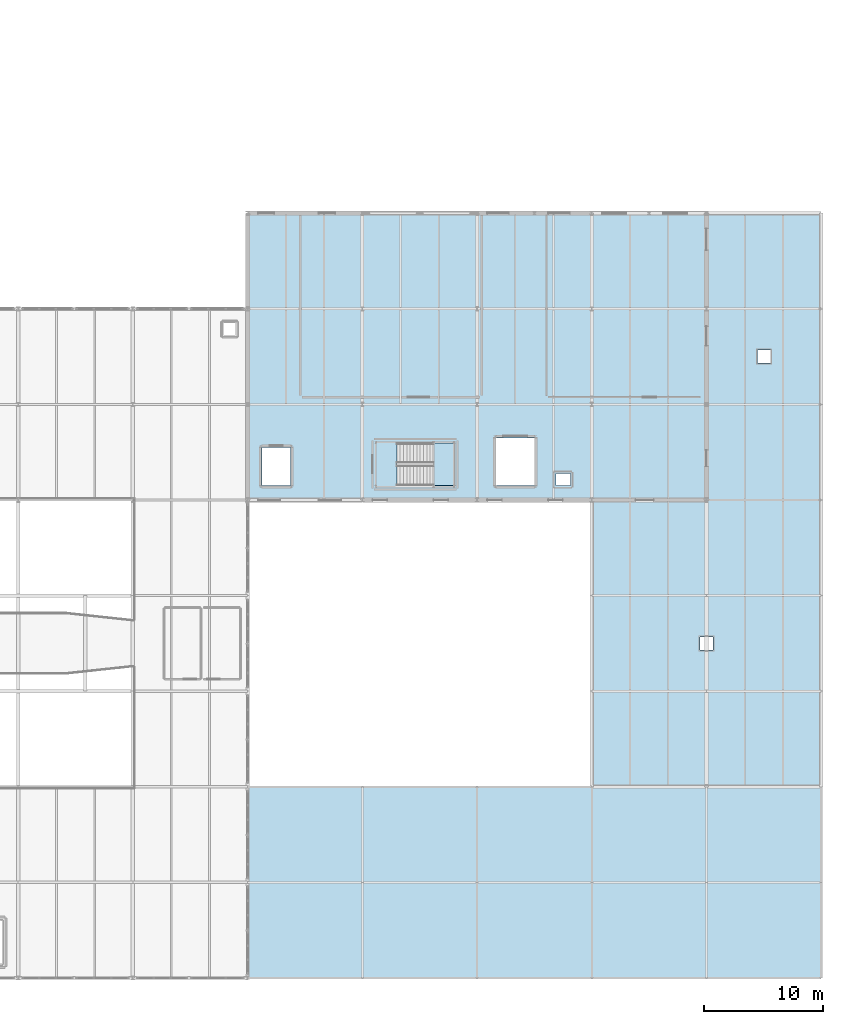
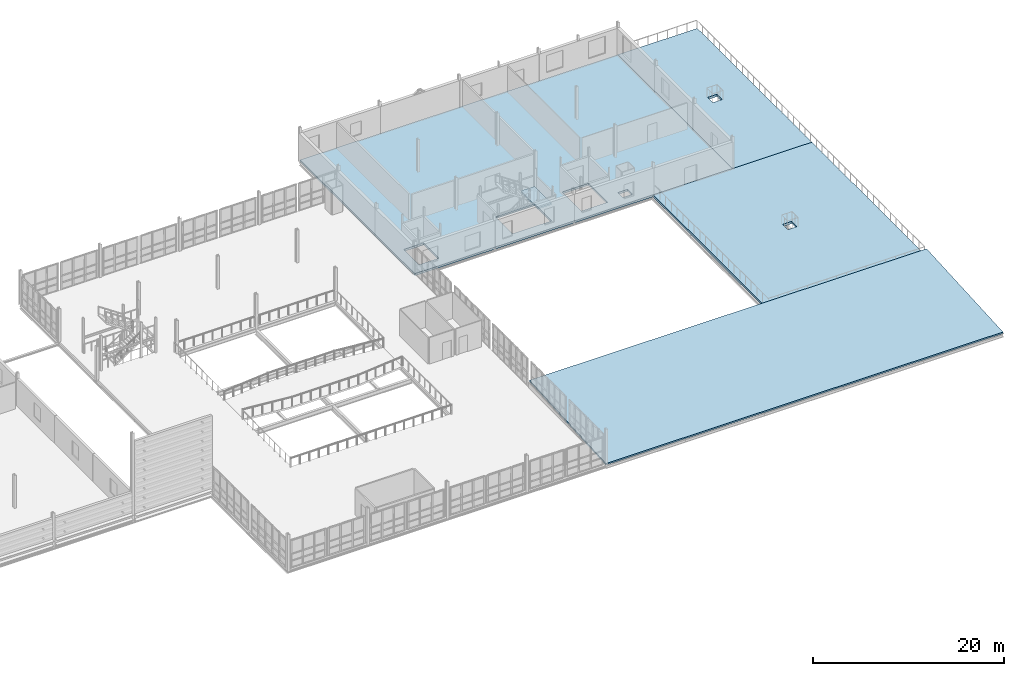
# One storey, part 54 of 73: 5 slabs, 1 element without a shape of its own.
"""IFC4 building model written with IfcOpenShell, lengths in metres."""

from ifc_helpers import new_model, si_unit, direction, frame, origin, place, context, subcontext, project, spatial, polyline, outline, extrude, material, layer, layer_set, type_object, element, aggregate, save


model = new_model("IFC4")

# Units and contexts
model_context = context("Model", 3, precision=1e-05, world=origin(), true_north=direction((0.0, 1.0)))
body_context = subcontext(model_context, "Body", "Model", "MODEL_VIEW")
ifc_project = project(units=[si_unit("LENGTHUNIT", "METRE"), si_unit("AREAUNIT", "SQUARE_METRE"), si_unit("VOLUMEUNIT", "CUBIC_METRE"), si_unit("PLANEANGLEUNIT", "RADIAN"), si_unit("MASSUNIT", "GRAM", prefix="KILO")], contexts=[model_context])

# Site, building, storey
site_placement = place(None, origin())
site = spatial("IfcSite", under=ifc_project, at=site_placement, CompositionType="ELEMENT")
building_placement = place(site_placement, origin())
building = spatial("IfcBuilding", under=site, at=building_placement, Name="Alderhovde Museum", CompositionType="ELEMENT")
storey_placement = place(building_placement, frame((0.0, 0.0, 12.89990234375)))
storey = spatial("IfcBuildingStorey", under=building, at=storey_placement, Name="L03", CompositionType="ELEMENT", Elevation=12.89990234375)

# Slab
ifc_material_1 = material(Name="Concrete C35/45", Category="concrete")
ifc_layer_1 = layer(ifc_material_1, 0.260009765625)
ifc_layer_set_1 = layer_set([ifc_layer_1], Name="Concrete C35/45")
slab_type_1 = type_object("IfcSlabType", Name="SLB-FLR-260", PredefinedType="FLOOR", material=ifc_layer_set_1)
slab_1_placement = place(storey_placement, frame((0.0, 0.0, -0.260009765625)))
element("IfcSlab", 1, at=slab_1_placement, inside=storey, type_object=slab_type_1, Name="L03 VOL5 Structural Slab", PredefinedType="FLOOR", context=body_context, shape_type="SweptSolid", body=[
    extrude(outline(polyline([(115.199951171875, 72.0), (153.60009765625, 72.0), (153.60009765625, 96.0), (115.199951171875, 96.0), (115.199951171875, 72.0)]), holes=[polyline([(127.7099609375, 73.199951171875), (132.43994140625, 73.199951171875), (132.43994140625, 76.760009765625), (127.7099609375, 76.760009765625), (127.7099609375, 73.199951171875)]), polyline([(116.39990234375, 73.199951171875), (118.800048828125, 73.199951171875), (118.800048828125, 76.39990234375), (116.39990234375, 76.39990234375), (116.39990234375, 73.199951171875)]), polyline([(136.0, 73.199951171875), (139.199951171875, 73.199951171875), (139.199951171875, 77.199951171875), (136.0, 77.199951171875), (136.0, 73.199951171875)]), polyline([(141.0, 73.199951171875), (142.199951171875, 73.199951171875), (142.199951171875, 74.199951171875), (141.0, 74.199951171875), (141.0, 73.199951171875)])]), origin(), (0.0, 0.0, 1.0), 0.260009765625),
])

# Stair, slab
ifc_material_2 = material(Name="Concrete C35/45", Category="concrete")
stair_type = type_object("IfcStairType", Name="STR-1500-4500", PredefinedType="HALF_TURN_STAIR", material=ifc_material_2)
stair_placement = place(storey_placement, origin())
stair = element("IfcStair", 2, at=stair_placement, inside=storey, type_object=stair_type, Name="L03 Escape Stair ST4", PredefinedType="HALF_TURN_STAIR")
ifc_material_3 = material(Name="Concrete C35/45", Category="concrete")
ifc_layer_2 = layer(ifc_material_3, 0.199951171875)
ifc_layer_set_2 = layer_set([ifc_layer_2], Name="Concrete C35/45")
slab_type_2 = type_object("IfcSlabType", Name="SLB-LANDING-200", PredefinedType="LANDING", material=ifc_layer_set_2)
slab_2_placement = place(storey_placement, frame((0.0, 0.0, 2.050048828125)))
slab_2 = element("IfcSlab", 3, at=slab_2_placement, type_object=slab_type_2, Name="ST4 landing 1", PredefinedType="LANDING", context=body_context, shape_type="SweptSolid", body=[
    extrude(outline(polyline([(130.760009765625, 73.199951171875), (132.43994140625, 73.199951171875), (132.43994140625, 76.760009765625), (130.760009765625, 76.760009765625), (130.760009765625, 73.199951171875)])), origin(), (0.0, 0.0, 1.0), 0.199951171875),
])
aggregate(stair, [slab_2])

# Slabs
ifc_material_4 = material(Name="Concrete C35/45", Category="concrete")
ifc_layer_3 = layer(ifc_material_4, 0.199951171875)
ifc_layer_set_3 = layer_set([ifc_layer_3], Name="Concrete C35/45")
slab_type_3 = type_object("IfcSlabType", Name="SLB-ROOF-200", PredefinedType="ROOF", material=ifc_layer_set_3)
slab_3_placement = place(storey_placement, frame((115.199951171875, 32.0, 0.0), z_axis=(0.0, -0.058660408949, 0.998277995561), x_axis=(1.0, 0.0, 0.0)))
element("IfcSlab", 4, at=slab_3_placement, inside=storey, type_object=slab_type_3, Name="Conservation South Wing Pitched Step Roof", PredefinedType="ROOF", context=body_context, shape_type="SweptSolid", body=[
    extrude(outline(polyline([(0.0, 0.0), (48.0, 0.0), (48.0, 16.02759959764882), (0.0, 16.02759959764882), (0.0, 0.0)])), origin(), (0.0, 0.0, -1.0), 0.199951171875),
])
ifc_material_5 = material(Name="Concrete C40/50", Category="concrete")
ifc_layer_4 = layer(ifc_material_5, 0.300048828125)
ifc_layer_set_4 = layer_set([ifc_layer_4], Name="Concrete C40/50")
slab_type_4 = type_object("IfcSlabType", Name="SLB-TERR-300", PredefinedType="FLOOR", material=ifc_layer_set_4)
slab_4_placement = place(storey_placement, frame((0.0, 0.0, -0.2998046875)))
element("IfcSlab", 5, at=slab_4_placement, inside=storey, type_object=slab_type_4, Name="L03 Conservation Sculpture Terrace", PredefinedType="FLOOR", context=body_context, shape_type="SweptSolid", body=[
    extrude(outline(polyline([(144.0, 48.0), (163.199951171875, 48.0), (163.199951171875, 72.0), (144.0, 72.0), (144.0, 48.0)]), holes=[polyline([(153.050048828125, 59.449951171875), (154.14990234375, 59.449951171875), (154.14990234375, 60.550048828125), (153.050048828125, 60.550048828125), (153.050048828125, 59.449951171875)])]), origin(), (0.0, 0.0, 1.0), 0.2998046875),
])
slab_5_placement = place(storey_placement, frame((0.0, 0.0, -0.2998046875)))
element("IfcSlab", 6, at=slab_5_placement, inside=storey, type_object=slab_type_4, Name="L03 East Pavilion Terrace", PredefinedType="FLOOR", context=body_context, shape_type="SweptSolid", body=[
    extrude(outline(polyline([(153.60009765625, 72.0), (163.199951171875, 72.0), (163.199951171875, 96.0), (153.60009765625, 96.0), (153.60009765625, 72.0)]), holes=[polyline([(157.85009765625, 83.449951171875), (158.949951171875, 83.449951171875), (158.949951171875, 84.550048828125), (157.85009765625, 84.550048828125), (157.85009765625, 83.449951171875)])]), origin(), (0.0, 0.0, 1.0), 0.2998046875),
])

save(model, "model.ifc")
